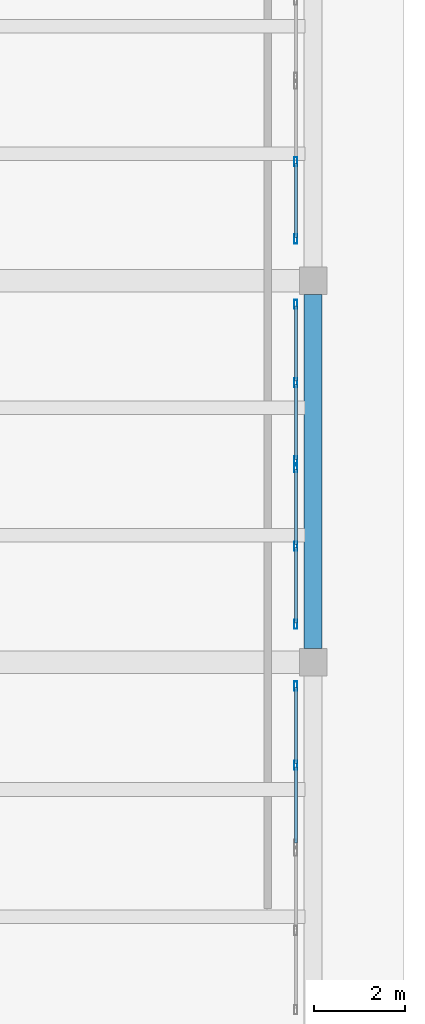
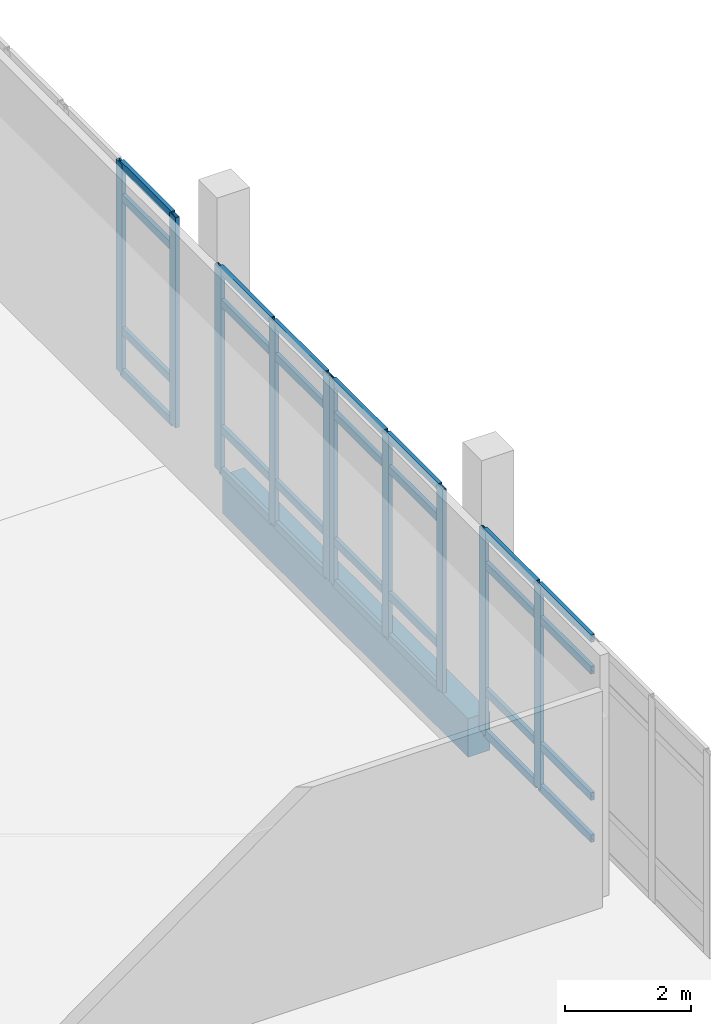
# One storey, part 26 of 64: 38 members, 1 beam, 4 elements without a shape of their own.
"""IFC4 building model written with IfcOpenShell, lengths in metres."""

from ifc_helpers import new_model, si_unit, derived_unit, direction, frame, origin, origin_2d, place, context, subcontext, project, spatial, rectangle, hollow_rectangle, extrude, material, layer, layer_set, material_profile, profile_set, type_object, element, aggregate, save


model = new_model("IFC4")

# Units and contexts
model_context = context("Model", 3, precision=1e-05, world=origin(), true_north=direction((0.0, 1.0)))
body_context = subcontext(model_context, "Body", "Model", "MODEL_VIEW")
ifc_project = project(units=[si_unit("LENGTHUNIT", "METRE"), si_unit("AREAUNIT", "SQUARE_METRE"), si_unit("VOLUMEUNIT", "CUBIC_METRE"), si_unit("PLANEANGLEUNIT", "RADIAN"), si_unit("MASSUNIT", "GRAM", prefix="KILO"), derived_unit("THERMALTRANSMITTANCEUNIT", [(si_unit("POWERUNIT", "WATT"), 1), (si_unit("LENGTHUNIT", "METRE"), -2), (si_unit("THERMODYNAMICTEMPERATUREUNIT", "KELVIN"), -1)])], contexts=[model_context])

# Site, building, storey
site_placement = place(None, origin())
site = spatial("IfcSite", under=ifc_project, at=site_placement, CompositionType="ELEMENT")
building_placement = place(site_placement, origin())
building = spatial("IfcBuilding", under=site, at=building_placement, Name="Elbkamm Science Centre", CompositionType="ELEMENT")
storey_placement = place(building_placement, origin())
storey = spatial("IfcBuildingStorey", under=building, at=storey_placement, Name="L00", CompositionType="ELEMENT", Elevation=0.0)

# Beam
ifc_material_1 = material(Name="Concrete C40/50", Category="concrete")
ifc_material_profile_1 = material_profile(ifc_material_1, rectangle(XDim=0.39990234375, YDim=0.75, at=origin_2d()), Name="RC 400x750")
ifc_profile_set_1 = profile_set([ifc_material_profile_1], Name="Concrete C40/50")
beam_type = type_object("IfcBeamType", Name="BM-RC-400x750", PredefinedType="BEAM", material=ifc_profile_set_1)
beam_placement = place(storey_placement, frame((160.800048828125, 67.5, -0.675048828125), z_axis=(0.0, 1.0, 0.0), x_axis=(-1.0, 0.0, 0.0)))
element("IfcBeam", 1, at=beam_placement, inside=storey, type_object=beam_type, Name="L00 Primary Y-Girder 083", PredefinedType="BEAM", context=body_context, shape_type="SweptSolid", body=[
    extrude(rectangle(XDim=0.39990234375, YDim=0.75, at=origin_2d()), origin(), (0.0, 0.0, 1.0), 7.800048828125),
])

# Curtain wall, members
ifc_material_2 = material(Name="Powder-coated aluminium and triple low-E glazing", Category="aluminium")
ifc_layer_1 = layer(ifc_material_2, 0.159912109375)
ifc_layer_set_1 = layer_set([ifc_layer_1], Name="Powder-coated aluminium and triple low-E glazing")
curtain_wall_type_1 = type_object("IfcCurtainWallType", Name="CW-UNIT-3480x4080", PredefinedType="USERDEFINED", material=ifc_layer_set_1)
curtain_wall_1_placement = place(storey_placement, origin())
curtain_wall_1 = element("IfcCurtainWall", 2, at=curtain_wall_1_placement, inside=storey, type_object=curtain_wall_type_1, Name="L00 Unitised Curtain Wall 121", ObjectType="UNITISED CURTAIN WALL", PredefinedType="USERDEFINED")
ifc_material_3 = material(Name="Powder-coated aluminium EN AW-6060", Category="aluminium")
ifc_material_profile_2 = material_profile(ifc_material_3, hollow_rectangle(XDim=0.070068359375, YDim=0.199951171875, WallThickness=0.00439453125, at=origin_2d()), Name="ALU M70x200")
ifc_profile_set_2 = profile_set([ifc_material_profile_2], Name="Powder-coated aluminium EN AW-6060")
member_type_1 = type_object("IfcMemberType", Name="CW-MUL-70x200", PredefinedType="MULLION", material=ifc_profile_set_2)
member_1_placement = place(storey_placement, frame((160.419921875, 78.221435546875, 0.0), z_axis=(0.0, 0.0, 1.0), x_axis=(1.0, 0.0, 0.0)))
member_1 = element("IfcMember", 3, at=member_1_placement, type_object=member_type_1, Name="CW-060 mullion 2", PredefinedType="MULLION", context=body_context, shape_type="SweptSolid", body=[
    extrude(hollow_rectangle(XDim=0.070068359375, YDim=0.199951171875, WallThickness=0.00439453125, at=origin_2d()), origin(), (0.0, 0.0, 1.0), 4.080078125),
])
member_2_placement = place(storey_placement, frame((160.419921875, 76.51904296875, 0.0), z_axis=(0.0, 0.0, 1.0), x_axis=(1.0, 0.0, 0.0)))
member_2 = element("IfcMember", 4, at=member_2_placement, type_object=member_type_1, Name="CW-060 mullion 3", PredefinedType="MULLION", context=body_context, shape_type="SweptSolid", body=[
    extrude(hollow_rectangle(XDim=0.070068359375, YDim=0.199951171875, WallThickness=0.00439453125, at=origin_2d()), origin(), (0.0, 0.0, 1.0), 4.080078125),
])

ifc_layer_2 = layer(ifc_material_2, 0.159912109375)
ifc_layer_set_2 = layer_set([ifc_layer_2], Name="Powder-coated aluminium and triple low-E glazing")
curtain_wall_type_2 = type_object("IfcCurtainWallType", Name="CW-UNIT-3520x3960", PredefinedType="USERDEFINED", material=ifc_layer_set_2)
curtain_wall_2_placement = place(storey_placement, origin())
curtain_wall_2 = element("IfcCurtainWall", 5, at=curtain_wall_2_placement, inside=storey, type_object=curtain_wall_type_2, Name="L00 Unitised Curtain Wall 122", ObjectType="UNITISED CURTAIN WALL", PredefinedType="USERDEFINED")
member_3_placement = place(storey_placement, frame((160.419921875, 75.07861328125, 0.0), z_axis=(0.0, 0.0, 1.0), x_axis=(1.0, 0.0, 0.0)))
member_3 = element("IfcMember", 6, at=member_3_placement, type_object=member_type_1, Name="CW-061 mullion 1", PredefinedType="MULLION", context=body_context, shape_type="SweptSolid", body=[
    extrude(hollow_rectangle(XDim=0.070068359375, YDim=0.199951171875, WallThickness=0.00439453125, at=origin_2d()), origin(), (0.0, 0.0, 1.0), 3.949951171875),
])
member_4_placement = place(storey_placement, frame((160.419921875, 73.355224609375, 0.0), z_axis=(0.0, 0.0, 1.0), x_axis=(1.0, 0.0, 0.0)))
member_4 = element("IfcMember", 7, at=member_4_placement, type_object=member_type_1, Name="CW-061 mullion 2", PredefinedType="MULLION", context=body_context, shape_type="SweptSolid", body=[
    extrude(hollow_rectangle(XDim=0.070068359375, YDim=0.199951171875, WallThickness=0.00439453125, at=origin_2d()), origin(), (0.0, 0.0, 1.0), 3.949951171875),
])
member_5_placement = place(storey_placement, frame((160.419921875, 71.6318359375, 0.0), z_axis=(0.0, 0.0, 1.0), x_axis=(1.0, 0.0, 0.0)))
member_5 = element("IfcMember", 8, at=member_5_placement, type_object=member_type_1, Name="CW-061 mullion 3", PredefinedType="MULLION", context=body_context, shape_type="SweptSolid", body=[
    extrude(hollow_rectangle(XDim=0.070068359375, YDim=0.199951171875, WallThickness=0.00439453125, at=origin_2d()), origin(), (0.0, 0.0, 1.0), 3.949951171875),
])

curtain_wall_3_placement = place(storey_placement, origin())
curtain_wall_3 = element("IfcCurtainWall", 9, at=curtain_wall_3_placement, inside=storey, type_object=curtain_wall_type_2, Name="L00 Unitised Curtain Wall 123", ObjectType="UNITISED CURTAIN WALL", PredefinedType="USERDEFINED")
member_6_placement = place(storey_placement, frame((160.419921875, 71.481689453125, 0.0), z_axis=(0.0, 0.0, 1.0), x_axis=(1.0, 0.0, 0.0)))
member_6 = element("IfcMember", 10, at=member_6_placement, type_object=member_type_1, Name="CW-061 mullion 1", PredefinedType="MULLION", context=body_context, shape_type="SweptSolid", body=[
    extrude(hollow_rectangle(XDim=0.070068359375, YDim=0.199951171875, WallThickness=0.00439453125, at=origin_2d()), origin(), (0.0, 0.0, 1.0), 3.949951171875),
])
member_7_placement = place(storey_placement, frame((160.419921875, 69.75830078125, 0.0), z_axis=(0.0, 0.0, 1.0), x_axis=(1.0, 0.0, 0.0)))
member_7 = element("IfcMember", 11, at=member_7_placement, type_object=member_type_1, Name="CW-061 mullion 2", PredefinedType="MULLION", context=body_context, shape_type="SweptSolid", body=[
    extrude(hollow_rectangle(XDim=0.070068359375, YDim=0.199951171875, WallThickness=0.00439453125, at=origin_2d()), origin(), (0.0, 0.0, 1.0), 3.949951171875),
])
member_8_placement = place(storey_placement, frame((160.419921875, 68.034912109375, 0.0), z_axis=(0.0, 0.0, 1.0), x_axis=(1.0, 0.0, 0.0)))
member_8 = element("IfcMember", 12, at=member_8_placement, type_object=member_type_1, Name="CW-061 mullion 3", PredefinedType="MULLION", context=body_context, shape_type="SweptSolid", body=[
    extrude(hollow_rectangle(XDim=0.070068359375, YDim=0.199951171875, WallThickness=0.00439453125, at=origin_2d()), origin(), (0.0, 0.0, 1.0), 3.949951171875),
])

ifc_layer_3 = layer(ifc_material_2, 0.159912109375)
ifc_layer_set_3 = layer_set([ifc_layer_3], Name="Powder-coated aluminium and triple low-E glazing")
curtain_wall_type_3 = type_object("IfcCurtainWallType", Name="CW-UNIT-3560x3960", PredefinedType="USERDEFINED", material=ifc_layer_set_3)
curtain_wall_4_placement = place(storey_placement, origin())
curtain_wall_4 = element("IfcCurtainWall", 13, at=curtain_wall_4_placement, inside=storey, type_object=curtain_wall_type_3, Name="L00 Unitised Curtain Wall 124", ObjectType="UNITISED CURTAIN WALL", PredefinedType="USERDEFINED")
member_9_placement = place(storey_placement, frame((160.419921875, 66.6787109375, 0.0), z_axis=(0.0, 0.0, 1.0), x_axis=(1.0, 0.0, 0.0)))
member_9 = element("IfcMember", 14, at=member_9_placement, type_object=member_type_1, Name="CW-062 mullion 1", PredefinedType="MULLION", context=body_context, shape_type="SweptSolid", body=[
    extrude(hollow_rectangle(XDim=0.070068359375, YDim=0.199951171875, WallThickness=0.00439453125, at=origin_2d()), origin(), (0.0, 0.0, 1.0), 3.949951171875),
])
member_10_placement = place(storey_placement, frame((160.419921875, 64.934326171875, 0.0), z_axis=(0.0, 0.0, 1.0), x_axis=(1.0, 0.0, 0.0)))
member_10 = element("IfcMember", 15, at=member_10_placement, type_object=member_type_1, Name="CW-062 mullion 2", PredefinedType="MULLION", context=body_context, shape_type="SweptSolid", body=[
    extrude(hollow_rectangle(XDim=0.070068359375, YDim=0.199951171875, WallThickness=0.00439453125, at=origin_2d()), origin(), (0.0, 0.0, 1.0), 3.949951171875),
])

# Member
ifc_material_profile_3 = material_profile(ifc_material_3, hollow_rectangle(XDim=0.070068359375, YDim=0.14990234375, WallThickness=0.00390625, at=origin_2d()), Name="ALU T70x150")
ifc_profile_set_3 = profile_set([ifc_material_profile_3], Name="Powder-coated aluminium EN AW-6060")
member_type_2 = type_object("IfcMemberType", Name="CW-TRN-70x150", PredefinedType="USERDEFINED", material=ifc_profile_set_3)
member_11_placement = place(storey_placement, frame((160.419921875, 78.186279296875, 0.034912109375), z_axis=(0.0, -1.0, 0.0), x_axis=(1.0, 0.0, 0.0)))
member_11 = element("IfcMember", 16, at=member_11_placement, type_object=member_type_2, Name="CW-060 transom 2.1", ObjectType="TRANSOM", PredefinedType="USERDEFINED", context=body_context, shape_type="SweptSolid", body=[
    extrude(hollow_rectangle(XDim=0.070068359375, YDim=0.14990234375, WallThickness=0.00390625, at=origin_2d()), origin(), (0.0, 0.0, 1.0), 1.63232421875),
])

member_12_placement = place(storey_placement, frame((160.419921875, 78.186279296875, 0.85009765625), z_axis=(0.0, -1.0, 0.0), x_axis=(1.0, 0.0, 0.0)))
member_12 = element("IfcMember", 17, at=member_12_placement, type_object=member_type_2, Name="CW-060 transom 2.2", ObjectType="TRANSOM", PredefinedType="USERDEFINED", context=body_context, shape_type="SweptSolid", body=[
    extrude(hollow_rectangle(XDim=0.070068359375, YDim=0.14990234375, WallThickness=0.00390625, at=origin_2d()), origin(), (0.0, 0.0, 1.0), 1.63232421875),
])

member_13_placement = place(storey_placement, frame((160.419921875, 78.186279296875, 3.429931640625), z_axis=(0.0, -1.0, 0.0), x_axis=(1.0, 0.0, 0.0)))
member_13 = element("IfcMember", 18, at=member_13_placement, type_object=member_type_2, Name="CW-060 transom 2.3", ObjectType="TRANSOM", PredefinedType="USERDEFINED", context=body_context, shape_type="SweptSolid", body=[
    extrude(hollow_rectangle(XDim=0.070068359375, YDim=0.14990234375, WallThickness=0.00390625, at=origin_2d()), origin(), (0.0, 0.0, 1.0), 1.63232421875),
])

member_14_placement = place(storey_placement, frame((160.419921875, 78.186279296875, 4.044921875), z_axis=(0.0, -1.0, 0.0), x_axis=(1.0, 0.0, 0.0)))
member_14 = element("IfcMember", 19, at=member_14_placement, type_object=member_type_2, Name="CW-060 transom 2.4", ObjectType="TRANSOM", PredefinedType="USERDEFINED", context=body_context, shape_type="SweptSolid", body=[
    extrude(hollow_rectangle(XDim=0.070068359375, YDim=0.14990234375, WallThickness=0.00390625, at=origin_2d()), origin(), (0.0, 0.0, 1.0), 1.63232421875),
])

aggregate(curtain_wall_1, [member_1, member_2, member_11, member_12, member_13, member_14])

member_15_placement = place(storey_placement, frame((160.419921875, 75.043701171875, 0.034912109375), z_axis=(0.0, -1.0, 0.0), x_axis=(1.0, 0.0, 0.0)))
member_15 = element("IfcMember", 20, at=member_15_placement, type_object=member_type_2, Name="CW-061 transom 1.1", ObjectType="TRANSOM", PredefinedType="USERDEFINED", context=body_context, shape_type="SweptSolid", body=[
    extrude(hollow_rectangle(XDim=0.070068359375, YDim=0.14990234375, WallThickness=0.00390625, at=origin_2d()), origin(), (0.0, 0.0, 1.0), 1.6533203125),
])

member_16_placement = place(storey_placement, frame((160.419921875, 75.043701171875, 0.85009765625), z_axis=(0.0, -1.0, 0.0), x_axis=(1.0, 0.0, 0.0)))
member_16 = element("IfcMember", 21, at=member_16_placement, type_object=member_type_2, Name="CW-061 transom 1.2", ObjectType="TRANSOM", PredefinedType="USERDEFINED", context=body_context, shape_type="SweptSolid", body=[
    extrude(hollow_rectangle(XDim=0.070068359375, YDim=0.14990234375, WallThickness=0.00390625, at=origin_2d()), origin(), (0.0, 0.0, 1.0), 1.6533203125),
])

member_17_placement = place(storey_placement, frame((160.419921875, 75.043701171875, 3.300048828125), z_axis=(0.0, -1.0, 0.0), x_axis=(1.0, 0.0, 0.0)))
member_17 = element("IfcMember", 22, at=member_17_placement, type_object=member_type_2, Name="CW-061 transom 1.3", ObjectType="TRANSOM", PredefinedType="USERDEFINED", context=body_context, shape_type="SweptSolid", body=[
    extrude(hollow_rectangle(XDim=0.070068359375, YDim=0.14990234375, WallThickness=0.00390625, at=origin_2d()), origin(), (0.0, 0.0, 1.0), 1.6533203125),
])

member_18_placement = place(storey_placement, frame((160.419921875, 75.043701171875, 3.9150390625), z_axis=(0.0, -1.0, 0.0), x_axis=(1.0, 0.0, 0.0)))
member_18 = element("IfcMember", 23, at=member_18_placement, type_object=member_type_2, Name="CW-061 transom 1.4", ObjectType="TRANSOM", PredefinedType="USERDEFINED", context=body_context, shape_type="SweptSolid", body=[
    extrude(hollow_rectangle(XDim=0.070068359375, YDim=0.14990234375, WallThickness=0.00390625, at=origin_2d()), origin(), (0.0, 0.0, 1.0), 1.6533203125),
])

member_19_placement = place(storey_placement, frame((160.419921875, 73.3203125, 0.034912109375), z_axis=(0.0, -1.0, 0.0), x_axis=(1.0, 0.0, 0.0)))
member_19 = element("IfcMember", 24, at=member_19_placement, type_object=member_type_2, Name="CW-061 transom 2.1", ObjectType="TRANSOM", PredefinedType="USERDEFINED", context=body_context, shape_type="SweptSolid", body=[
    extrude(hollow_rectangle(XDim=0.070068359375, YDim=0.14990234375, WallThickness=0.00390625, at=origin_2d()), origin(), (0.0, 0.0, 1.0), 1.6533203125),
])

member_20_placement = place(storey_placement, frame((160.419921875, 73.3203125, 0.85009765625), z_axis=(0.0, -1.0, 0.0), x_axis=(1.0, 0.0, 0.0)))
member_20 = element("IfcMember", 25, at=member_20_placement, type_object=member_type_2, Name="CW-061 transom 2.2", ObjectType="TRANSOM", PredefinedType="USERDEFINED", context=body_context, shape_type="SweptSolid", body=[
    extrude(hollow_rectangle(XDim=0.070068359375, YDim=0.14990234375, WallThickness=0.00390625, at=origin_2d()), origin(), (0.0, 0.0, 1.0), 1.6533203125),
])

member_21_placement = place(storey_placement, frame((160.419921875, 73.3203125, 3.300048828125), z_axis=(0.0, -1.0, 0.0), x_axis=(1.0, 0.0, 0.0)))
member_21 = element("IfcMember", 26, at=member_21_placement, type_object=member_type_2, Name="CW-061 transom 2.3", ObjectType="TRANSOM", PredefinedType="USERDEFINED", context=body_context, shape_type="SweptSolid", body=[
    extrude(hollow_rectangle(XDim=0.070068359375, YDim=0.14990234375, WallThickness=0.00390625, at=origin_2d()), origin(), (0.0, 0.0, 1.0), 1.6533203125),
])

member_22_placement = place(storey_placement, frame((160.419921875, 73.3203125, 3.9150390625), z_axis=(0.0, -1.0, 0.0), x_axis=(1.0, 0.0, 0.0)))
member_22 = element("IfcMember", 27, at=member_22_placement, type_object=member_type_2, Name="CW-061 transom 2.4", ObjectType="TRANSOM", PredefinedType="USERDEFINED", context=body_context, shape_type="SweptSolid", body=[
    extrude(hollow_rectangle(XDim=0.070068359375, YDim=0.14990234375, WallThickness=0.00390625, at=origin_2d()), origin(), (0.0, 0.0, 1.0), 1.6533203125),
])

aggregate(curtain_wall_2, [member_3, member_4, member_5, member_15, member_16, member_17, member_18, member_19, member_20, member_21, member_22])

member_23_placement = place(storey_placement, frame((160.419921875, 71.44677734375, 0.034912109375), z_axis=(0.0, -1.0, 0.0), x_axis=(1.0, 0.0, 0.0)))
member_23 = element("IfcMember", 28, at=member_23_placement, type_object=member_type_2, Name="CW-061 transom 1.1", ObjectType="TRANSOM", PredefinedType="USERDEFINED", context=body_context, shape_type="SweptSolid", body=[
    extrude(hollow_rectangle(XDim=0.070068359375, YDim=0.14990234375, WallThickness=0.00390625, at=origin_2d()), origin(), (0.0, 0.0, 1.0), 1.6533203125),
])

member_24_placement = place(storey_placement, frame((160.419921875, 71.44677734375, 0.85009765625), z_axis=(0.0, -1.0, 0.0), x_axis=(1.0, 0.0, 0.0)))
member_24 = element("IfcMember", 29, at=member_24_placement, type_object=member_type_2, Name="CW-061 transom 1.2", ObjectType="TRANSOM", PredefinedType="USERDEFINED", context=body_context, shape_type="SweptSolid", body=[
    extrude(hollow_rectangle(XDim=0.070068359375, YDim=0.14990234375, WallThickness=0.00390625, at=origin_2d()), origin(), (0.0, 0.0, 1.0), 1.6533203125),
])

member_25_placement = place(storey_placement, frame((160.419921875, 71.44677734375, 3.300048828125), z_axis=(0.0, -1.0, 0.0), x_axis=(1.0, 0.0, 0.0)))
member_25 = element("IfcMember", 30, at=member_25_placement, type_object=member_type_2, Name="CW-061 transom 1.3", ObjectType="TRANSOM", PredefinedType="USERDEFINED", context=body_context, shape_type="SweptSolid", body=[
    extrude(hollow_rectangle(XDim=0.070068359375, YDim=0.14990234375, WallThickness=0.00390625, at=origin_2d()), origin(), (0.0, 0.0, 1.0), 1.6533203125),
])

member_26_placement = place(storey_placement, frame((160.419921875, 71.44677734375, 3.9150390625), z_axis=(0.0, -1.0, 0.0), x_axis=(1.0, 0.0, 0.0)))
member_26 = element("IfcMember", 31, at=member_26_placement, type_object=member_type_2, Name="CW-061 transom 1.4", ObjectType="TRANSOM", PredefinedType="USERDEFINED", context=body_context, shape_type="SweptSolid", body=[
    extrude(hollow_rectangle(XDim=0.070068359375, YDim=0.14990234375, WallThickness=0.00390625, at=origin_2d()), origin(), (0.0, 0.0, 1.0), 1.6533203125),
])

member_27_placement = place(storey_placement, frame((160.419921875, 69.723388671875, 0.034912109375), z_axis=(0.0, -1.0, 0.0), x_axis=(1.0, 0.0, 0.0)))
member_27 = element("IfcMember", 32, at=member_27_placement, type_object=member_type_2, Name="CW-061 transom 2.1", ObjectType="TRANSOM", PredefinedType="USERDEFINED", context=body_context, shape_type="SweptSolid", body=[
    extrude(hollow_rectangle(XDim=0.070068359375, YDim=0.14990234375, WallThickness=0.00390625, at=origin_2d()), origin(), (0.0, 0.0, 1.0), 1.6533203125),
])

member_28_placement = place(storey_placement, frame((160.419921875, 69.723388671875, 0.85009765625), z_axis=(0.0, -1.0, 0.0), x_axis=(1.0, 0.0, 0.0)))
member_28 = element("IfcMember", 33, at=member_28_placement, type_object=member_type_2, Name="CW-061 transom 2.2", ObjectType="TRANSOM", PredefinedType="USERDEFINED", context=body_context, shape_type="SweptSolid", body=[
    extrude(hollow_rectangle(XDim=0.070068359375, YDim=0.14990234375, WallThickness=0.00390625, at=origin_2d()), origin(), (0.0, 0.0, 1.0), 1.6533203125),
])

member_29_placement = place(storey_placement, frame((160.419921875, 69.723388671875, 3.300048828125), z_axis=(0.0, -1.0, 0.0), x_axis=(1.0, 0.0, 0.0)))
member_29 = element("IfcMember", 34, at=member_29_placement, type_object=member_type_2, Name="CW-061 transom 2.3", ObjectType="TRANSOM", PredefinedType="USERDEFINED", context=body_context, shape_type="SweptSolid", body=[
    extrude(hollow_rectangle(XDim=0.070068359375, YDim=0.14990234375, WallThickness=0.00390625, at=origin_2d()), origin(), (0.0, 0.0, 1.0), 1.6533203125),
])

member_30_placement = place(storey_placement, frame((160.419921875, 69.723388671875, 3.9150390625), z_axis=(0.0, -1.0, 0.0), x_axis=(1.0, 0.0, 0.0)))
member_30 = element("IfcMember", 35, at=member_30_placement, type_object=member_type_2, Name="CW-061 transom 2.4", ObjectType="TRANSOM", PredefinedType="USERDEFINED", context=body_context, shape_type="SweptSolid", body=[
    extrude(hollow_rectangle(XDim=0.070068359375, YDim=0.14990234375, WallThickness=0.00390625, at=origin_2d()), origin(), (0.0, 0.0, 1.0), 1.6533203125),
])

aggregate(curtain_wall_3, [member_6, member_7, member_8, member_23, member_24, member_25, member_26, member_27, member_28, member_29, member_30])

member_31_placement = place(storey_placement, frame((160.419921875, 66.643798828125, 0.034912109375), z_axis=(0.0, -1.0, 0.0), x_axis=(1.0, 0.0, 0.0)))
member_31 = element("IfcMember", 36, at=member_31_placement, type_object=member_type_2, Name="CW-062 transom 1.1", ObjectType="TRANSOM", PredefinedType="USERDEFINED", context=body_context, shape_type="SweptSolid", body=[
    extrude(hollow_rectangle(XDim=0.070068359375, YDim=0.14990234375, WallThickness=0.00390625, at=origin_2d()), origin(), (0.0, 0.0, 1.0), 1.674560546875),
])

member_32_placement = place(storey_placement, frame((160.419921875, 66.643798828125, 0.85009765625), z_axis=(0.0, -1.0, 0.0), x_axis=(1.0, 0.0, 0.0)))
member_32 = element("IfcMember", 37, at=member_32_placement, type_object=member_type_2, Name="CW-062 transom 1.2", ObjectType="TRANSOM", PredefinedType="USERDEFINED", context=body_context, shape_type="SweptSolid", body=[
    extrude(hollow_rectangle(XDim=0.070068359375, YDim=0.14990234375, WallThickness=0.00390625, at=origin_2d()), origin(), (0.0, 0.0, 1.0), 1.674560546875),
])

member_33_placement = place(storey_placement, frame((160.419921875, 66.643798828125, 3.300048828125), z_axis=(0.0, -1.0, 0.0), x_axis=(1.0, 0.0, 0.0)))
member_33 = element("IfcMember", 38, at=member_33_placement, type_object=member_type_2, Name="CW-062 transom 1.3", ObjectType="TRANSOM", PredefinedType="USERDEFINED", context=body_context, shape_type="SweptSolid", body=[
    extrude(hollow_rectangle(XDim=0.070068359375, YDim=0.14990234375, WallThickness=0.00390625, at=origin_2d()), origin(), (0.0, 0.0, 1.0), 1.674560546875),
])

member_34_placement = place(storey_placement, frame((160.419921875, 66.643798828125, 3.9150390625), z_axis=(0.0, -1.0, 0.0), x_axis=(1.0, 0.0, 0.0)))
member_34 = element("IfcMember", 39, at=member_34_placement, type_object=member_type_2, Name="CW-062 transom 1.4", ObjectType="TRANSOM", PredefinedType="USERDEFINED", context=body_context, shape_type="SweptSolid", body=[
    extrude(hollow_rectangle(XDim=0.070068359375, YDim=0.14990234375, WallThickness=0.00390625, at=origin_2d()), origin(), (0.0, 0.0, 1.0), 1.674560546875),
])

member_35_placement = place(storey_placement, frame((160.419921875, 64.8994140625, 0.034912109375), z_axis=(0.0, -1.0, 0.0), x_axis=(1.0, 0.0, 0.0)))
member_35 = element("IfcMember", 40, at=member_35_placement, type_object=member_type_2, Name="CW-062 transom 2.1", ObjectType="TRANSOM", PredefinedType="USERDEFINED", context=body_context, shape_type="SweptSolid", body=[
    extrude(hollow_rectangle(XDim=0.070068359375, YDim=0.14990234375, WallThickness=0.00390625, at=origin_2d()), origin(), (0.0, 0.0, 1.0), 1.674560546875),
])

member_36_placement = place(storey_placement, frame((160.419921875, 64.8994140625, 0.85009765625), z_axis=(0.0, -1.0, 0.0), x_axis=(1.0, 0.0, 0.0)))
member_36 = element("IfcMember", 41, at=member_36_placement, type_object=member_type_2, Name="CW-062 transom 2.2", ObjectType="TRANSOM", PredefinedType="USERDEFINED", context=body_context, shape_type="SweptSolid", body=[
    extrude(hollow_rectangle(XDim=0.070068359375, YDim=0.14990234375, WallThickness=0.00390625, at=origin_2d()), origin(), (0.0, 0.0, 1.0), 1.674560546875),
])

member_37_placement = place(storey_placement, frame((160.419921875, 64.8994140625, 3.300048828125), z_axis=(0.0, -1.0, 0.0), x_axis=(1.0, 0.0, 0.0)))
member_37 = element("IfcMember", 42, at=member_37_placement, type_object=member_type_2, Name="CW-062 transom 2.3", ObjectType="TRANSOM", PredefinedType="USERDEFINED", context=body_context, shape_type="SweptSolid", body=[
    extrude(hollow_rectangle(XDim=0.070068359375, YDim=0.14990234375, WallThickness=0.00390625, at=origin_2d()), origin(), (0.0, 0.0, 1.0), 1.674560546875),
])

member_38_placement = place(storey_placement, frame((160.419921875, 64.8994140625, 3.9150390625), z_axis=(0.0, -1.0, 0.0), x_axis=(1.0, 0.0, 0.0)))
member_38 = element("IfcMember", 43, at=member_38_placement, type_object=member_type_2, Name="CW-062 transom 2.4", ObjectType="TRANSOM", PredefinedType="USERDEFINED", context=body_context, shape_type="SweptSolid", body=[
    extrude(hollow_rectangle(XDim=0.070068359375, YDim=0.14990234375, WallThickness=0.00390625, at=origin_2d()), origin(), (0.0, 0.0, 1.0), 1.674560546875),
])

aggregate(curtain_wall_4, [member_9, member_10, member_31, member_32, member_33, member_34, member_35, member_36, member_37, member_38])

save(model, "model.ifc")
